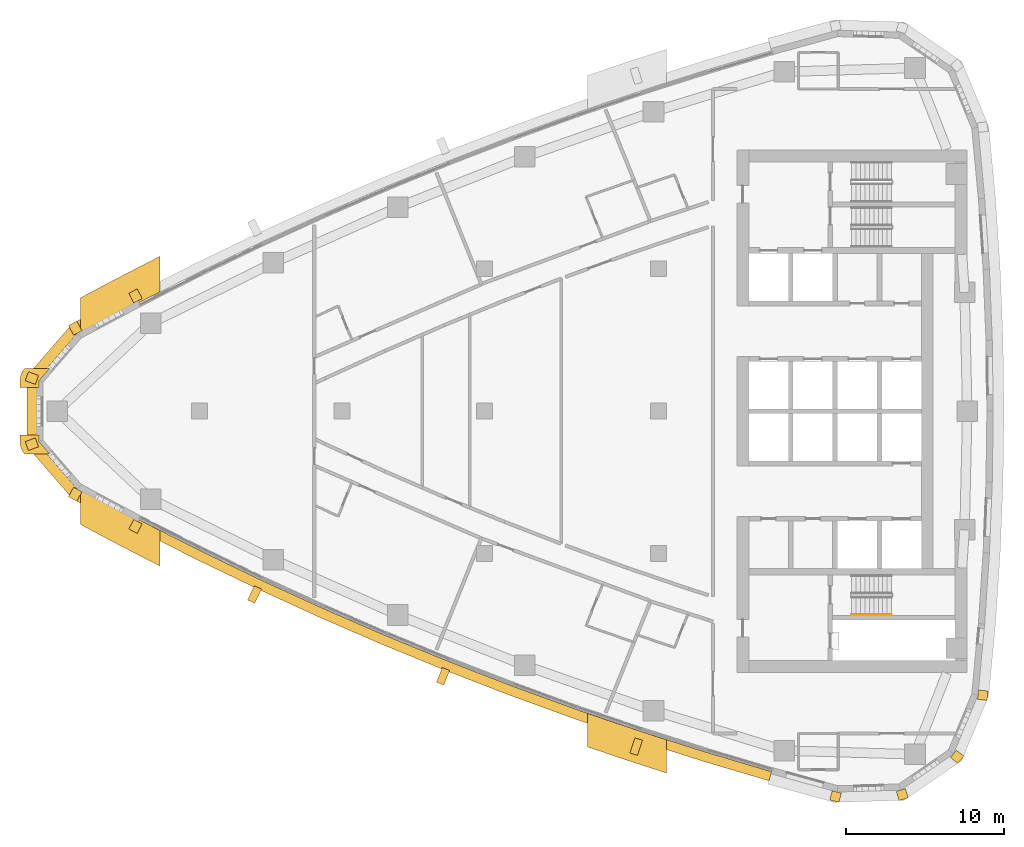
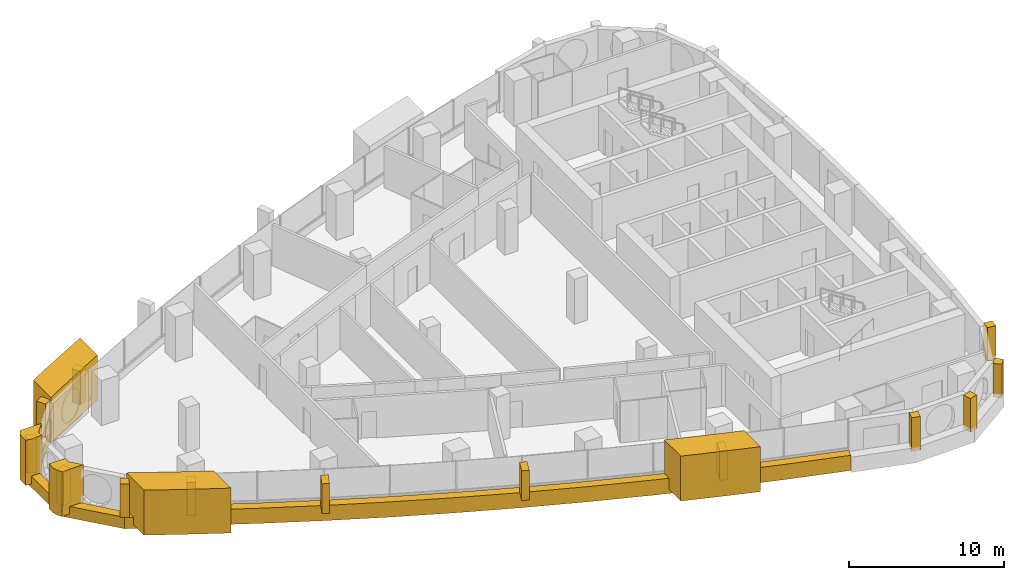
# One storey, part 14 of 17: 20 coverings, 1 railing.
"""IFC4 building model written with IfcOpenShell, lengths in metres."""

from ifc_helpers import new_model, si_unit, direction, frame, frame_2d, origin, origin_2d, place, context, subcontext, project, spatial, polyline, rectangle, circle, outline, extrude, material, layer, layer_set, type_object, element, save


model = new_model("IFC4")

# Units and contexts
model_context = context("Model", 3, precision=1e-05, world=origin(), true_north=direction((0.0, 1.0)))
body_context = subcontext(model_context, "Body", "Model", "MODEL_VIEW")
ifc_project = project(units=[si_unit("LENGTHUNIT", "METRE"), si_unit("AREAUNIT", "SQUARE_METRE"), si_unit("VOLUMEUNIT", "CUBIC_METRE"), si_unit("PLANEANGLEUNIT", "RADIAN"), si_unit("MASSUNIT", "GRAM", prefix="KILO")], contexts=[model_context])

# Site, building, storey
site_placement = place(None, origin())
site = spatial("IfcSite", under=ifc_project, at=site_placement, CompositionType="ELEMENT")
building_placement = place(site_placement, origin())
building = spatial("IfcBuilding", under=site, at=building_placement, Name="Ostrand Prow Hotel Tower", CompositionType="ELEMENT")
storey_placement = place(building_placement, frame((0.0, 0.0, 182.60009765625)))
storey = spatial("IfcBuildingStorey", under=building, at=storey_placement, Name="L45", CompositionType="ELEMENT", Elevation=182.60009765625)

# Coverings
ifc_material_1 = material(Name="Bronze anodised aluminium cladding", Category="aluminium")
ifc_layer_1 = layer(ifc_material_1, 0.60009765625)
ifc_layer_set_1 = layer_set([ifc_layer_1], Name="Bronze anodised aluminium cladding")
covering_type_1 = type_object("IfcCoveringType", Name="Bronze prow band 899x600", PredefinedType="CLADDING", material=ifc_layer_set_1)
covering_1_placement = place(storey_placement, frame((0.0, 0.0, -0.300048828125)))
element("IfcCovering", 1, at=covering_1_placement, inside=storey, type_object=covering_type_1, Name="Bronze prow band", PredefinedType="CLADDING", context=body_context, shape_type="SweptSolid", body=[
    extrude(outline(polyline([(11.8037109375, 7.58154296875), (7.9873046875, 5.546630859375), (5.09521484375, 2.20849609375), (5.09521484375, -2.20849609375), (7.9873046875, -5.546630859375), (11.8037109375, -7.58154296875), (12.117431640625, -6.978515625), (8.3134765625, -4.949951171875), (5.732421875, -1.970703125), (5.732421875, 1.970703125), (8.3134765625, 4.949951171875), (12.117431640625, 6.978515625), (11.8037109375, 7.58154296875)])), origin(), (0.0, 0.0, 1.0), 0.89990234375),
])
ifc_material_2 = material(Name="Bronze anodised aluminium cladding", Category="aluminium")
ifc_layer_2 = layer(ifc_material_2, 0.60009765625)
ifc_layer_set_2 = layer_set([ifc_layer_2], Name="Bronze anodised aluminium cladding")
covering_type_2 = type_object("IfcCoveringType", Name="Bronze spandrel band 1200x600", PredefinedType="CLADDING", material=ifc_layer_set_2)
covering_2_placement = place(storey_placement, frame((0.0, 0.0, -0.300048828125)))
element("IfcCovering", 2, at=covering_2_placement, inside=storey, type_object=covering_type_2, Name="Spandrel band S1", PredefinedType="CLADDING", context=body_context, shape_type="SweptSolid", body=[
    extrude(outline(polyline([(11.9052734375, -7.38623046875), (15.757568359375, -9.341796875), (19.648681640625, -11.219482421875), (23.57666015625, -13.0185546875), (27.5400390625, -14.738037109375), (31.537353515625, -16.37744140625), (35.566650390625, -17.93603515625), (39.626708984375, -19.4130859375), (43.7158203125, -20.80810546875), (47.831787109375, -22.12060546875), (51.9736328125, -23.35009765625), (52.138427734375, -22.773193359375), (48.00830078125, -21.547119140625), (43.90380859375, -20.23828125), (39.826171875, -18.84716796875), (35.777587890625, -17.374267578125), (31.759521484375, -15.820068359375), (27.773193359375, -14.185302734375), (23.821044921875, -12.470458984375), (19.90380859375, -10.676513671875), (16.023681640625, -8.80419921875), (12.18212890625, -6.85400390625), (11.9052734375, -7.38623046875)])), origin(), (0.0, 0.0, 1.0), 1.199951171875),
])
ifc_material_3 = material(Name="Limestone cladding", Category="masonry")
ifc_layer_3 = layer(ifc_material_3, 5.0)
ifc_layer_set_3 = layer_set([ifc_layer_3], Name="Limestone cladding")
covering_type_3 = type_object("IfcCoveringType", Name="Portal jamb pilaster limestone", PredefinedType="CLADDING", material=ifc_layer_set_3)
covering_3_placement = place(storey_placement, origin())
element("IfcCovering", 3, at=covering_3_placement, inside=storey, type_object=covering_type_3, Name="Portal jamb SA L45", PredefinedType="CLADDING", context=body_context, shape_type="SweptSolid", body=[
    extrude(outline(polyline([(8.5, -4.89208984375), (8.5, -7.1669921875), (9.5, -7.702392578125), (10.5, -8.231201171875), (11.5, -8.75341796875), (12.5, -9.268798828125), (13.5, -9.777587890625), (13.5, -7.533935546875), (12.5, -7.01904296875), (11.5, -6.497314453125), (10.5, -5.968994140625), (9.5, -5.43408203125), (8.5, -4.89208984375)])), origin(), (0.0, 0.0, 1.0), 3.5498046875),
])
covering_4_placement = place(storey_placement, origin())
element("IfcCovering", 4, at=covering_4_placement, inside=storey, type_object=covering_type_3, Name="Portal jamb SB L45", PredefinedType="CLADDING", context=body_context, shape_type="SweptSolid", body=[
    extrude(outline(polyline([(40.5, -19.08349609375), (40.5, -21.200439453125), (41.5, -21.542724609375), (42.5, -21.879638671875), (43.5, -22.211181640625), (44.5, -22.537109375), (45.5, -22.85791015625), (45.5, -20.75830078125), (44.5, -20.43408203125), (43.5, -20.104736328125), (42.5, -19.769775390625), (41.5, -19.429443359375), (40.5, -19.08349609375)])), origin(), (0.0, 0.0, 1.0), 3.5498046875),
])
covering_5_placement = place(storey_placement, origin())
element("IfcCovering", 5, at=covering_5_placement, inside=storey, type_object=covering_type_3, Name="Portal jamb NA L45", PredefinedType="CLADDING", context=body_context, shape_type="SweptSolid", body=[
    extrude(outline(polyline([(8.5, 4.89208984375), (9.5, 5.43408203125), (10.5, 5.968994140625), (11.5, 6.497314453125), (12.5, 7.01904296875), (13.5, 7.533935546875), (13.5, 9.777587890625), (12.5, 9.268798828125), (11.5, 8.75341796875), (10.5, 8.231201171875), (9.5, 7.702392578125), (8.5, 7.1669921875), (8.5, 4.89208984375)])), origin(), (0.0, 0.0, 1.0), 3.5498046875),
])
ifc_material_4 = material(Name="Limestone cladding", Category="masonry")
ifc_layer_4 = layer(ifc_material_4, 0.5)
ifc_layer_set_4 = layer_set([ifc_layer_4], Name="Limestone cladding")
covering_type_4 = type_object("IfcCoveringType", Name="Precast stone fin 500x900", PredefinedType="CLADDING", material=ifc_layer_set_4)
covering_6_placement = place(storey_placement, frame((19.691162109375, -11.129150390625, 0.89990234375), z_axis=(0.0, 0.0, 1.0), x_axis=(-0.425597120581, -0.904912753227, 0.0)))
element("IfcCovering", 6, at=covering_6_placement, inside=storey, type_object=covering_type_4, Name="Stone fin S 3", PredefinedType="CLADDING", context=body_context, shape_type="SweptSolid", body=[
    extrude(rectangle(XDim=0.999755859375, YDim=0.5, at=frame_2d((0.5, 0.0))), origin(), (0.0, 0.0, 1.0), 2.35009765625),
])
for number, where, z_axis, x_axis, name in (
    (7, (31.57421875, -16.284423828125, 0.89990234375), (0.0, 0.0, 1.0), (-0.37012750131, -0.9289809647, 0.0), "Stone fin S 6"),
    (8, (43.7470703125, -20.713134765625, 0.89990234375), (0.0, 0.0, 1.0), (-0.313443495886, -0.949606852801, 0.0), "Stone fin S 9"),
):
    element("IfcCovering", number, at=place(storey_placement, frame(where, z_axis=z_axis, x_axis=x_axis)), inside=storey, type_object=covering_type_4, Name=name, PredefinedType="CLADDING", context=body_context, shape_type="SweptSolid", body=[
        extrude(rectangle(XDim=1.0, YDim=0.5, at=frame_2d((0.5, 0.0))), origin(), (0.0, 0.0, 1.0), 2.35009765625),
    ])
ifc_material_5 = material(Name="Limestone cladding", Category="masonry")
ifc_layer_5 = layer(ifc_material_5, 0.60009765625)
ifc_layer_set_5 = layer_set([ifc_layer_5], Name="Limestone cladding")
covering_type_5 = type_object("IfcCoveringType", Name="Precast stone prow rib 600x600", PredefinedType="CLADDING", material=ifc_layer_set_5)
covering_7_placement = place(storey_placement, frame((12.117431640625, 6.978515625, 0.599853515625), z_axis=(0.0, 0.0, 1.0), x_axis=(-0.461522357319, 0.887128577882, 0.0)))
element("IfcCovering", 9, at=covering_7_placement, inside=storey, type_object=covering_type_5, Name="Stone prow rib 1", PredefinedType="CLADDING", context=body_context, shape_type="SweptSolid", body=[
    extrude(rectangle(XDim=0.6796875, YDim=0.60009765625, at=frame_2d((0.33984375, 0.0))), origin(), (0.0, 0.0, 1.0), 2.650146484375),
])
covering_8_placement = place(storey_placement, frame((8.3134765625, 4.949951171875, 0.599853515625), z_axis=(0.0, 0.0, 1.0), x_axis=(-0.479656876283, 0.877456141943, 0.0)))
element("IfcCovering", 10, at=covering_8_placement, inside=storey, type_object=covering_type_5, Name="Stone prow rib 2", PredefinedType="CLADDING", context=body_context, shape_type="SweptSolid", body=[
    extrude(rectangle(XDim=0.679931640625, YDim=0.60009765625, at=frame_2d((0.33984375, 0.0))), origin(), (0.0, 0.0, 1.0), 2.650146484375),
])
for number, where, z_axis, x_axis, name in (
    (11, (5.732421875, 1.970703125, 0.599853515625), (0.0, 0.0, 1.0), (-0.93688855374, 0.349628142277, 0.0), "Stone prow rib 3"),
    (12, (5.732421875, -1.970703125, 0.599853515625), (0.0, 0.0, 1.0), (-0.93688855374, -0.349628142277, 0.0), "Stone prow rib 4"),
):
    element("IfcCovering", number, at=place(storey_placement, frame(where, z_axis=z_axis, x_axis=x_axis)), inside=storey, type_object=covering_type_5, Name=name, PredefinedType="CLADDING", context=body_context, shape_type="SweptSolid", body=[
        extrude(rectangle(XDim=0.68017578125, YDim=0.60009765625, at=frame_2d((0.340087890625, 0.0))), origin(), (0.0, 0.0, 1.0), 2.650146484375),
    ])
covering_9_placement = place(storey_placement, frame((8.3134765625, -4.949951171875, 0.599853515625), z_axis=(0.0, 0.0, 1.0), x_axis=(-0.479656876283, -0.877456141943, 0.0)))
element("IfcCovering", 13, at=covering_9_placement, inside=storey, type_object=covering_type_5, Name="Stone prow rib 5", PredefinedType="CLADDING", context=body_context, shape_type="SweptSolid", body=[
    extrude(rectangle(XDim=0.679931640625, YDim=0.60009765625, at=frame_2d((0.33984375, 0.0))), origin(), (0.0, 0.0, 1.0), 2.650146484375),
])
covering_10_placement = place(storey_placement, frame((12.117431640625, -6.978515625, 0.599853515625), z_axis=(0.0, 0.0, 1.0), x_axis=(-0.461522357319, -0.887128577882, 0.0)))
element("IfcCovering", 14, at=covering_10_placement, inside=storey, type_object=covering_type_5, Name="Stone prow rib 6", PredefinedType="CLADDING", context=body_context, shape_type="SweptSolid", body=[
    extrude(rectangle(XDim=0.6796875, YDim=0.60009765625, at=frame_2d((0.33984375, 0.0))), origin(), (0.0, 0.0, 1.0), 2.650146484375),
])
for number, where, z_axis, x_axis, name in (
    (15, (56.256591796875, -24.05126953125, 0.599853515625), (0.0, 0.0, 1.0), (-0.255154261231, -0.966900358349, 0.0), "Stone corner rib 2a"),
    (16, (60.297607421875, -23.935302734375, 0.599853515625), (0.0, 0.0, 1.0), (0.310484329644, -0.950578498098, 0.0), "Stone corner rib 3a"),
    (17, (63.6279296875, -21.643798828125, 0.599853515625), (0.0, 0.0, 1.0), (0.776922530767, -0.62959620487, 0.0), "Stone corner rib 4a"),
    (18, (65.18017578125, -17.9111328125, 0.599853515625), (0.0, 0.0, 1.0), (0.994255138911, -0.107036062846, 0.0), "Stone corner rib 4b"),
):
    element("IfcCovering", number, at=place(storey_placement, frame(where, z_axis=z_axis, x_axis=x_axis)), inside=storey, type_object=covering_type_5, Name=name, PredefinedType="CLADDING", context=body_context, shape_type="SweptSolid", body=[
        extrude(rectangle(XDim=0.599853515625, YDim=0.60009765625, at=frame_2d((0.2998046875, 0.0))), origin(), (0.0, 0.0, 1.0), 2.650146484375),
    ])
ifc_material_6 = material(Name="Limestone cladding", Category="masonry")
ifc_layer_6 = layer(ifc_material_6, 3.0)
ifc_layer_set_6 = layer_set([ifc_layer_6], Name="Limestone cladding")
covering_type_6 = type_object("IfcCoveringType", Name="Prow nose pier limestone", PredefinedType="CLADDING", material=ifc_layer_set_6)
covering_11_placement = place(storey_placement, origin())
element("IfcCovering", 19, at=covering_11_placement, inside=storey, type_object=covering_type_6, Name="Prow spine fin N L45", PredefinedType="CLADDING", context=body_context, shape_type="SweptSolid", body=[
    extrude(outline(polyline([(4.663818359375, 1.921875), (4.663818359375, 1.5), (5.864013671875, 1.5), (5.864013671875, 1.921875), (6.5380859375, 2.699951171875), (4.950927734375, 2.699951171875), (4.881591796875, 2.611083984375), (4.816650390625, 2.507568359375), (4.762451171875, 2.39794921875), (4.719482421875, 2.283203125), (4.688720703125, 2.164794921875), (4.670166015625, 2.0439453125), (4.663818359375, 1.921875)])), origin(), (0.0, 0.0, 1.0), 3.5498046875),
])
covering_12_placement = place(storey_placement, origin())
element("IfcCovering", 20, at=covering_12_placement, inside=storey, type_object=covering_type_6, Name="Prow spine fin S L45", PredefinedType="CLADDING", context=body_context, shape_type="SweptSolid", body=[
    extrude(outline(polyline([(4.881591796875, -2.611083984375), (4.950927734375, -2.699951171875), (6.5380859375, -2.699951171875), (5.864013671875, -1.921875), (5.864013671875, -1.5), (4.663818359375, -1.5), (4.663818359375, -1.921875), (4.670166015625, -2.0439453125), (4.688720703125, -2.164794921875), (4.719482421875, -2.283203125), (4.762451171875, -2.39794921875), (4.816650390625, -2.507568359375), (4.881591796875, -2.611083984375)])), origin(), (0.0, 0.0, 1.0), 3.5498046875),
])

# Railing
ifc_material_7 = material(Name="Stainless steel", Category="steel")
railing_type = type_object("IfcRailingType", Name="Stair handrail 900", PredefinedType="HANDRAIL", material=ifc_material_7)
railing_placement = place(storey_placement, frame((57.199951171875, -12.85009765625, 0.177490234375)))
element("IfcRailing", 21, at=railing_placement, inside=storey, type_object=railing_type, Name="L45 ST2C stair handrail 1", PredefinedType="HANDRAIL", context=body_context, shape_type="SweptSolid", body=[
    extrude(circle(Radius=0.02392578125, at=origin_2d()), frame((0.0, 0.0, 0.8759765625), z_axis=(0.84460694969, 0.0, 0.535386869969), x_axis=(0.0, 1.0, 0.0)), (0.0, 0.0, 1.0), 2.983642578125),
    extrude(circle(Radius=0.02099609375, at=origin_2d()), origin(), (0.0, 0.0, 1.0), 0.851806640625),
    extrude(circle(Radius=0.02099609375, at=origin_2d()), frame((0.840087890625, 0.0, 0.532470703125)), (0.0, 0.0, 1.0), 0.851806640625),
    extrude(circle(Radius=0.02099609375, at=origin_2d()), frame((1.679931640625, 0.0, 1.06494140625)), (0.0, 0.0, 1.0), 0.851806640625),
    extrude(circle(Radius=0.02099609375, at=origin_2d()), frame((2.52001953125, 0.0, 1.597412109375)), (0.0, 0.0, 1.0), 0.851806640625),
])

save(model, "model.ifc")
